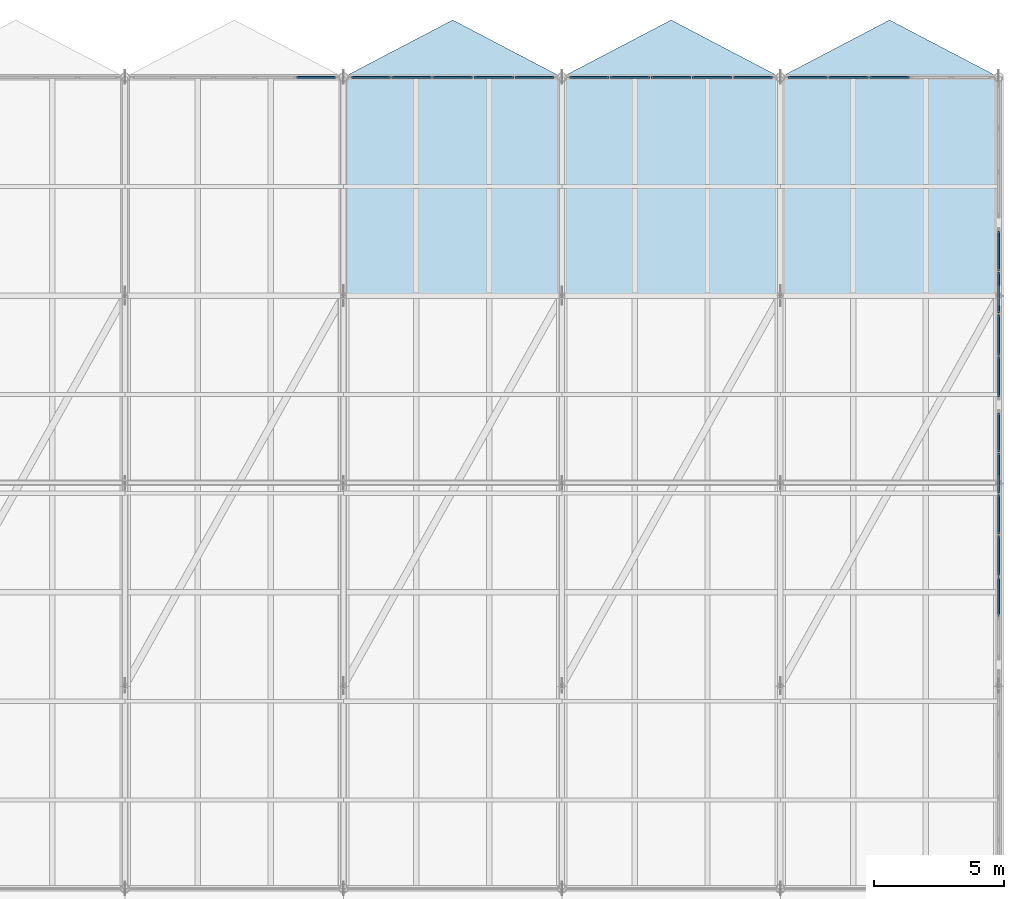
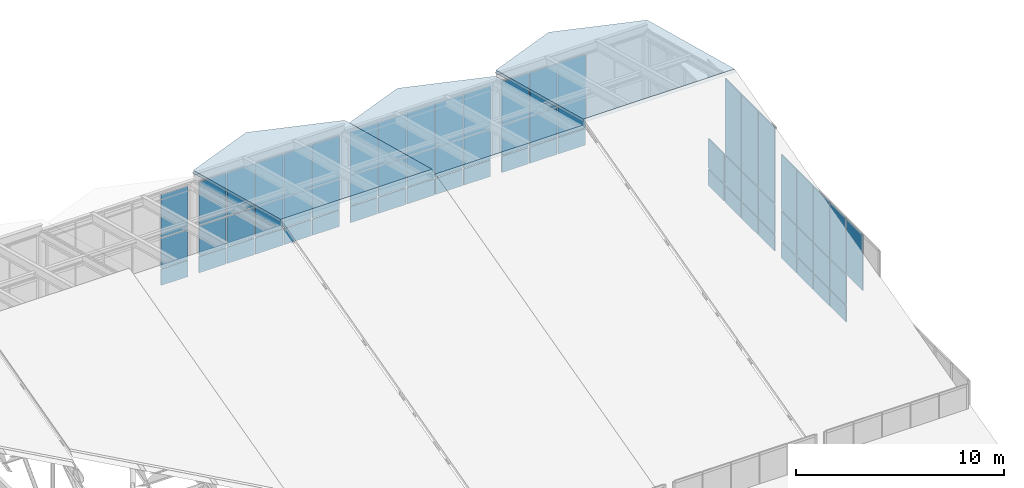
# One storey, part 39 of 43: 66 plates, 3 slabs, 6 elements without a shape of their own.
"""IFC4 building model written with IfcOpenShell, lengths in metres."""

from ifc_helpers import new_model, si_unit, direction, frame, origin, origin_2d, place, context, subcontext, project, spatial, polyline, rectangle, outline, extrude, material, layer, layer_set, type_object, element, aggregate, save


model = new_model("IFC4")

# Units and contexts
model_context = context("Model", 3, precision=1e-05, world=origin(), true_north=direction((0.0, 1.0)))
body_context = subcontext(model_context, "Body", "Model", "MODEL_VIEW")
ifc_project = project(units=[si_unit("LENGTHUNIT", "METRE"), si_unit("AREAUNIT", "SQUARE_METRE"), si_unit("VOLUMEUNIT", "CUBIC_METRE"), si_unit("PLANEANGLEUNIT", "RADIAN"), si_unit("MASSUNIT", "GRAM", prefix="KILO")], contexts=[model_context])

# Site, building, storey
site_placement = place(None, origin())
site = spatial("IfcSite", under=ifc_project, at=site_placement, CompositionType="ELEMENT")
building_placement = place(site_placement, origin())
building = spatial("IfcBuilding", under=site, at=building_placement, Name="Selat Folded Stagehouse", CompositionType="ELEMENT")
storey_placement = place(building_placement, frame((0.0, 0.0, 32.39990234375)))
storey = spatial("IfcBuildingStorey", under=building, at=storey_placement, Name="RF", CompositionType="ELEMENT", Elevation=32.39990234375)

# Curtain wall, plates
ifc_material_1 = material(Name="Aluminium 6063-T6", Category="aluminium")
ifc_layer_1 = layer(ifc_material_1, 0.169921875)
ifc_layer_set_1 = layer_set([ifc_layer_1], Name="Aluminium 6063-T6")
curtain_wall_type = type_object("IfcCurtainWallType", Name="CW-CRN-CLER", PredefinedType="NOTDEFINED", material=ifc_layer_set_1)
curtain_wall_1_placement = place(storey_placement, origin())
curtain_wall_1 = element("IfcCurtainWall", 1, at=curtain_wall_1_placement, inside=storey, type_object=curtain_wall_type, Name="RF curtain wall CW-RF-N-03", PredefinedType="NOTDEFINED")
ifc_material_2 = material(Name="Acoustic weather-louvre and frit crown panel", Category="aluminium")
ifc_layer_2 = layer(ifc_material_2, 0.06201171875)
ifc_layer_set_2 = layer_set([ifc_layer_2], Name="Acoustic weather-louvre and frit crown panel")
plate_type = type_object("IfcPlateType", Name="CWP-LVR-ALU62", PredefinedType="CURTAIN_PANEL", material=ifc_layer_set_2)
plate_1_placement = place(storey_placement, frame((40.945068359375, 54.60009765625, 0.06494140625), z_axis=(0.0, 0.0, 1.0), x_axis=(1.0, 0.0, 0.0)))
plate_1 = element("IfcPlate", 2, at=plate_1_placement, type_object=plate_type, Name="CW-09 panel 5.1", PredefinedType="CURTAIN_PANEL", context=body_context, shape_type="SweptSolid", body=[
    extrude(rectangle(XDim=1.489990234375, YDim=0.06201171875, at=origin_2d()), origin(), (0.0, 0.0, 1.0), 0.952392578125),
])
plate_2_placement = place(storey_placement, frame((40.945068359375, 54.60009765625, 1.08251953125), z_axis=(0.0, 0.0, 1.0), x_axis=(1.0, 0.0, 0.0)))
plate_2 = element("IfcPlate", 3, at=plate_2_placement, type_object=plate_type, Name="CW-09 panel 5.2", PredefinedType="CURTAIN_PANEL", context=body_context, shape_type="SweptSolid", body=[
    extrude(rectangle(XDim=1.489990234375, YDim=0.06201171875, at=origin_2d()), origin(), (0.0, 0.0, 1.0), 1.735107421875),
])
plate_3_placement = place(storey_placement, frame((40.945068359375, 54.60009765625, 2.882568359375), z_axis=(0.0, 0.0, 1.0), x_axis=(1.0, 0.0, 0.0)))
plate_3 = element("IfcPlate", 4, at=plate_3_placement, type_object=plate_type, Name="CW-09 panel 5.3", PredefinedType="CURTAIN_PANEL", context=body_context, shape_type="SweptSolid", body=[
    extrude(rectangle(XDim=1.489990234375, YDim=0.06201171875, at=origin_2d()), origin(), (0.0, 0.0, 1.0), 2.50244140625),
])
aggregate(curtain_wall_1, [plate_1, plate_2, plate_3])

curtain_wall_2_placement = place(storey_placement, origin())
curtain_wall_2 = element("IfcCurtainWall", 5, at=curtain_wall_2_placement, inside=storey, type_object=curtain_wall_type, Name="RF curtain wall CW-RF-N-04", PredefinedType="NOTDEFINED")
plate_4_placement = place(storey_placement, frame((43.054931640625, 54.60009765625, 0.06494140625), z_axis=(0.0, 0.0, 1.0), x_axis=(1.0, 0.0, 0.0)))
plate_4 = element("IfcPlate", 6, at=plate_4_placement, type_object=plate_type, Name="CW-09 panel 1.1", PredefinedType="CURTAIN_PANEL", context=body_context, shape_type="SweptSolid", body=[
    extrude(rectangle(XDim=1.489990234375, YDim=0.06201171875, at=origin_2d()), origin(), (0.0, 0.0, 1.0), 0.952392578125),
])
plate_5_placement = place(storey_placement, frame((43.054931640625, 54.60009765625, 1.08251953125), z_axis=(0.0, 0.0, 1.0), x_axis=(1.0, 0.0, 0.0)))
plate_5 = element("IfcPlate", 7, at=plate_5_placement, type_object=plate_type, Name="CW-09 panel 1.2", PredefinedType="CURTAIN_PANEL", context=body_context, shape_type="SweptSolid", body=[
    extrude(rectangle(XDim=1.489990234375, YDim=0.06201171875, at=origin_2d()), origin(), (0.0, 0.0, 1.0), 1.735107421875),
])
plate_6_placement = place(storey_placement, frame((43.054931640625, 54.60009765625, 2.882568359375), z_axis=(0.0, 0.0, 1.0), x_axis=(1.0, 0.0, 0.0)))
plate_6 = element("IfcPlate", 8, at=plate_6_placement, type_object=plate_type, Name="CW-09 panel 1.3", PredefinedType="CURTAIN_PANEL", context=body_context, shape_type="SweptSolid", body=[
    extrude(rectangle(XDim=1.489990234375, YDim=0.06201171875, at=origin_2d()), origin(), (0.0, 0.0, 1.0), 2.50244140625),
])
plate_7_placement = place(storey_placement, frame((44.6201171875, 54.60009765625, 0.06494140625), z_axis=(0.0, 0.0, 1.0), x_axis=(1.0, 0.0, 0.0)))
plate_7 = element("IfcPlate", 9, at=plate_7_placement, type_object=plate_type, Name="CW-09 panel 2.1", PredefinedType="CURTAIN_PANEL", context=body_context, shape_type="SweptSolid", body=[
    extrude(rectangle(XDim=1.52001953125, YDim=0.06201171875, at=origin_2d()), origin(), (0.0, 0.0, 1.0), 0.952392578125),
])
plate_8_placement = place(storey_placement, frame((44.6201171875, 54.60009765625, 1.08251953125), z_axis=(0.0, 0.0, 1.0), x_axis=(1.0, 0.0, 0.0)))
plate_8 = element("IfcPlate", 10, at=plate_8_placement, type_object=plate_type, Name="CW-09 panel 2.2", PredefinedType="CURTAIN_PANEL", context=body_context, shape_type="SweptSolid", body=[
    extrude(rectangle(XDim=1.52001953125, YDim=0.06201171875, at=origin_2d()), origin(), (0.0, 0.0, 1.0), 1.735107421875),
])
plate_9_placement = place(storey_placement, frame((44.6201171875, 54.60009765625, 2.882568359375), z_axis=(0.0, 0.0, 1.0), x_axis=(1.0, 0.0, 0.0)))
plate_9 = element("IfcPlate", 11, at=plate_9_placement, type_object=plate_type, Name="CW-09 panel 2.3", PredefinedType="CURTAIN_PANEL", context=body_context, shape_type="SweptSolid", body=[
    extrude(rectangle(XDim=1.52001953125, YDim=0.06201171875, at=origin_2d()), origin(), (0.0, 0.0, 1.0), 2.50244140625),
])
plate_10_placement = place(storey_placement, frame((46.199951171875, 54.60009765625, 0.06494140625), z_axis=(0.0, 0.0, 1.0), x_axis=(1.0, 0.0, 0.0)))
plate_10 = element("IfcPlate", 12, at=plate_10_placement, type_object=plate_type, Name="CW-09 panel 3.1", PredefinedType="CURTAIN_PANEL", context=body_context, shape_type="SweptSolid", body=[
    extrude(rectangle(XDim=1.52001953125, YDim=0.06201171875, at=origin_2d()), origin(), (0.0, 0.0, 1.0), 0.952392578125),
])
plate_11_placement = place(storey_placement, frame((46.199951171875, 54.60009765625, 1.08251953125), z_axis=(0.0, 0.0, 1.0), x_axis=(1.0, 0.0, 0.0)))
plate_11 = element("IfcPlate", 13, at=plate_11_placement, type_object=plate_type, Name="CW-09 panel 3.2", PredefinedType="CURTAIN_PANEL", context=body_context, shape_type="SweptSolid", body=[
    extrude(rectangle(XDim=1.52001953125, YDim=0.06201171875, at=origin_2d()), origin(), (0.0, 0.0, 1.0), 1.735107421875),
])
plate_12_placement = place(storey_placement, frame((46.199951171875, 54.60009765625, 2.882568359375), z_axis=(0.0, 0.0, 1.0), x_axis=(1.0, 0.0, 0.0)))
plate_12 = element("IfcPlate", 14, at=plate_12_placement, type_object=plate_type, Name="CW-09 panel 3.3", PredefinedType="CURTAIN_PANEL", context=body_context, shape_type="SweptSolid", body=[
    extrude(rectangle(XDim=1.52001953125, YDim=0.06201171875, at=origin_2d()), origin(), (0.0, 0.0, 1.0), 2.50244140625),
])
plate_13_placement = place(storey_placement, frame((47.780029296875, 54.60009765625, 0.06494140625), z_axis=(0.0, 0.0, 1.0), x_axis=(1.0, 0.0, 0.0)))
plate_13 = element("IfcPlate", 15, at=plate_13_placement, type_object=plate_type, Name="CW-09 panel 4.1", PredefinedType="CURTAIN_PANEL", context=body_context, shape_type="SweptSolid", body=[
    extrude(rectangle(XDim=1.52001953125, YDim=0.06201171875, at=origin_2d()), origin(), (0.0, 0.0, 1.0), 0.952392578125),
])
plate_14_placement = place(storey_placement, frame((47.780029296875, 54.60009765625, 1.08251953125), z_axis=(0.0, 0.0, 1.0), x_axis=(1.0, 0.0, 0.0)))
plate_14 = element("IfcPlate", 16, at=plate_14_placement, type_object=plate_type, Name="CW-09 panel 4.2", PredefinedType="CURTAIN_PANEL", context=body_context, shape_type="SweptSolid", body=[
    extrude(rectangle(XDim=1.52001953125, YDim=0.06201171875, at=origin_2d()), origin(), (0.0, 0.0, 1.0), 1.735107421875),
])
plate_15_placement = place(storey_placement, frame((47.780029296875, 54.60009765625, 2.882568359375), z_axis=(0.0, 0.0, 1.0), x_axis=(1.0, 0.0, 0.0)))
plate_15 = element("IfcPlate", 17, at=plate_15_placement, type_object=plate_type, Name="CW-09 panel 4.3", PredefinedType="CURTAIN_PANEL", context=body_context, shape_type="SweptSolid", body=[
    extrude(rectangle(XDim=1.52001953125, YDim=0.06201171875, at=origin_2d()), origin(), (0.0, 0.0, 1.0), 2.50244140625),
])
plate_16_placement = place(storey_placement, frame((49.344970703125, 54.60009765625, 0.06494140625), z_axis=(0.0, 0.0, 1.0), x_axis=(1.0, 0.0, 0.0)))
plate_16 = element("IfcPlate", 18, at=plate_16_placement, type_object=plate_type, Name="CW-09 panel 5.1", PredefinedType="CURTAIN_PANEL", context=body_context, shape_type="SweptSolid", body=[
    extrude(rectangle(XDim=1.489990234375, YDim=0.06201171875, at=origin_2d()), origin(), (0.0, 0.0, 1.0), 0.952392578125),
])
plate_17_placement = place(storey_placement, frame((49.344970703125, 54.60009765625, 1.08251953125), z_axis=(0.0, 0.0, 1.0), x_axis=(1.0, 0.0, 0.0)))
plate_17 = element("IfcPlate", 19, at=plate_17_placement, type_object=plate_type, Name="CW-09 panel 5.2", PredefinedType="CURTAIN_PANEL", context=body_context, shape_type="SweptSolid", body=[
    extrude(rectangle(XDim=1.489990234375, YDim=0.06201171875, at=origin_2d()), origin(), (0.0, 0.0, 1.0), 1.735107421875),
])
plate_18_placement = place(storey_placement, frame((49.344970703125, 54.60009765625, 2.882568359375), z_axis=(0.0, 0.0, 1.0), x_axis=(1.0, 0.0, 0.0)))
plate_18 = element("IfcPlate", 20, at=plate_18_placement, type_object=plate_type, Name="CW-09 panel 5.3", PredefinedType="CURTAIN_PANEL", context=body_context, shape_type="SweptSolid", body=[
    extrude(rectangle(XDim=1.489990234375, YDim=0.06201171875, at=origin_2d()), origin(), (0.0, 0.0, 1.0), 2.50244140625),
])
aggregate(curtain_wall_2, [plate_4, plate_5, plate_6, plate_7, plate_8, plate_9, plate_10, plate_11, plate_12, plate_13, plate_14, plate_15, plate_16, plate_17, plate_18])

curtain_wall_3_placement = place(storey_placement, origin())
curtain_wall_3 = element("IfcCurtainWall", 21, at=curtain_wall_3_placement, inside=storey, type_object=curtain_wall_type, Name="RF curtain wall CW-RF-N-05", PredefinedType="NOTDEFINED")
plate_19_placement = place(storey_placement, frame((51.455078125, 54.60009765625, 0.06494140625), z_axis=(0.0, 0.0, 1.0), x_axis=(1.0, 0.0, 0.0)))
plate_19 = element("IfcPlate", 22, at=plate_19_placement, type_object=plate_type, Name="CW-09 panel 1.1", PredefinedType="CURTAIN_PANEL", context=body_context, shape_type="SweptSolid", body=[
    extrude(rectangle(XDim=1.489990234375, YDim=0.06201171875, at=origin_2d()), origin(), (0.0, 0.0, 1.0), 0.952392578125),
])
plate_20_placement = place(storey_placement, frame((51.455078125, 54.60009765625, 1.08251953125), z_axis=(0.0, 0.0, 1.0), x_axis=(1.0, 0.0, 0.0)))
plate_20 = element("IfcPlate", 23, at=plate_20_placement, type_object=plate_type, Name="CW-09 panel 1.2", PredefinedType="CURTAIN_PANEL", context=body_context, shape_type="SweptSolid", body=[
    extrude(rectangle(XDim=1.489990234375, YDim=0.06201171875, at=origin_2d()), origin(), (0.0, 0.0, 1.0), 1.735107421875),
])
plate_21_placement = place(storey_placement, frame((51.455078125, 54.60009765625, 2.882568359375), z_axis=(0.0, 0.0, 1.0), x_axis=(1.0, 0.0, 0.0)))
plate_21 = element("IfcPlate", 24, at=plate_21_placement, type_object=plate_type, Name="CW-09 panel 1.3", PredefinedType="CURTAIN_PANEL", context=body_context, shape_type="SweptSolid", body=[
    extrude(rectangle(XDim=1.489990234375, YDim=0.06201171875, at=origin_2d()), origin(), (0.0, 0.0, 1.0), 2.50244140625),
])
plate_22_placement = place(storey_placement, frame((53.02001953125, 54.60009765625, 0.06494140625), z_axis=(0.0, 0.0, 1.0), x_axis=(1.0, 0.0, 0.0)))
plate_22 = element("IfcPlate", 25, at=plate_22_placement, type_object=plate_type, Name="CW-09 panel 2.1", PredefinedType="CURTAIN_PANEL", context=body_context, shape_type="SweptSolid", body=[
    extrude(rectangle(XDim=1.52001953125, YDim=0.06201171875, at=origin_2d()), origin(), (0.0, 0.0, 1.0), 0.952392578125),
])
plate_23_placement = place(storey_placement, frame((53.02001953125, 54.60009765625, 1.08251953125), z_axis=(0.0, 0.0, 1.0), x_axis=(1.0, 0.0, 0.0)))
plate_23 = element("IfcPlate", 26, at=plate_23_placement, type_object=plate_type, Name="CW-09 panel 2.2", PredefinedType="CURTAIN_PANEL", context=body_context, shape_type="SweptSolid", body=[
    extrude(rectangle(XDim=1.52001953125, YDim=0.06201171875, at=origin_2d()), origin(), (0.0, 0.0, 1.0), 1.735107421875),
])
plate_24_placement = place(storey_placement, frame((53.02001953125, 54.60009765625, 2.882568359375), z_axis=(0.0, 0.0, 1.0), x_axis=(1.0, 0.0, 0.0)))
plate_24 = element("IfcPlate", 27, at=plate_24_placement, type_object=plate_type, Name="CW-09 panel 2.3", PredefinedType="CURTAIN_PANEL", context=body_context, shape_type="SweptSolid", body=[
    extrude(rectangle(XDim=1.52001953125, YDim=0.06201171875, at=origin_2d()), origin(), (0.0, 0.0, 1.0), 2.50244140625),
])
plate_25_placement = place(storey_placement, frame((54.60009765625, 54.60009765625, 0.06494140625), z_axis=(0.0, 0.0, 1.0), x_axis=(1.0, 0.0, 0.0)))
plate_25 = element("IfcPlate", 28, at=plate_25_placement, type_object=plate_type, Name="CW-09 panel 3.1", PredefinedType="CURTAIN_PANEL", context=body_context, shape_type="SweptSolid", body=[
    extrude(rectangle(XDim=1.52001953125, YDim=0.06201171875, at=origin_2d()), origin(), (0.0, 0.0, 1.0), 0.952392578125),
])
plate_26_placement = place(storey_placement, frame((54.60009765625, 54.60009765625, 1.08251953125), z_axis=(0.0, 0.0, 1.0), x_axis=(1.0, 0.0, 0.0)))
plate_26 = element("IfcPlate", 29, at=plate_26_placement, type_object=plate_type, Name="CW-09 panel 3.2", PredefinedType="CURTAIN_PANEL", context=body_context, shape_type="SweptSolid", body=[
    extrude(rectangle(XDim=1.52001953125, YDim=0.06201171875, at=origin_2d()), origin(), (0.0, 0.0, 1.0), 1.735107421875),
])
plate_27_placement = place(storey_placement, frame((54.60009765625, 54.60009765625, 2.882568359375), z_axis=(0.0, 0.0, 1.0), x_axis=(1.0, 0.0, 0.0)))
plate_27 = element("IfcPlate", 30, at=plate_27_placement, type_object=plate_type, Name="CW-09 panel 3.3", PredefinedType="CURTAIN_PANEL", context=body_context, shape_type="SweptSolid", body=[
    extrude(rectangle(XDim=1.52001953125, YDim=0.06201171875, at=origin_2d()), origin(), (0.0, 0.0, 1.0), 2.50244140625),
])
plate_28_placement = place(storey_placement, frame((56.179931640625, 54.60009765625, 0.06494140625), z_axis=(0.0, 0.0, 1.0), x_axis=(1.0, 0.0, 0.0)))
plate_28 = element("IfcPlate", 31, at=plate_28_placement, type_object=plate_type, Name="CW-09 panel 4.1", PredefinedType="CURTAIN_PANEL", context=body_context, shape_type="SweptSolid", body=[
    extrude(rectangle(XDim=1.52001953125, YDim=0.06201171875, at=origin_2d()), origin(), (0.0, 0.0, 1.0), 0.952392578125),
])
plate_29_placement = place(storey_placement, frame((56.179931640625, 54.60009765625, 1.08251953125), z_axis=(0.0, 0.0, 1.0), x_axis=(1.0, 0.0, 0.0)))
plate_29 = element("IfcPlate", 32, at=plate_29_placement, type_object=plate_type, Name="CW-09 panel 4.2", PredefinedType="CURTAIN_PANEL", context=body_context, shape_type="SweptSolid", body=[
    extrude(rectangle(XDim=1.52001953125, YDim=0.06201171875, at=origin_2d()), origin(), (0.0, 0.0, 1.0), 1.735107421875),
])
plate_30_placement = place(storey_placement, frame((56.179931640625, 54.60009765625, 2.882568359375), z_axis=(0.0, 0.0, 1.0), x_axis=(1.0, 0.0, 0.0)))
plate_30 = element("IfcPlate", 33, at=plate_30_placement, type_object=plate_type, Name="CW-09 panel 4.3", PredefinedType="CURTAIN_PANEL", context=body_context, shape_type="SweptSolid", body=[
    extrude(rectangle(XDim=1.52001953125, YDim=0.06201171875, at=origin_2d()), origin(), (0.0, 0.0, 1.0), 2.50244140625),
])
plate_31_placement = place(storey_placement, frame((57.7451171875, 54.60009765625, 0.06494140625), z_axis=(0.0, 0.0, 1.0), x_axis=(1.0, 0.0, 0.0)))
plate_31 = element("IfcPlate", 34, at=plate_31_placement, type_object=plate_type, Name="CW-09 panel 5.1", PredefinedType="CURTAIN_PANEL", context=body_context, shape_type="SweptSolid", body=[
    extrude(rectangle(XDim=1.489990234375, YDim=0.06201171875, at=origin_2d()), origin(), (0.0, 0.0, 1.0), 0.952392578125),
])
plate_32_placement = place(storey_placement, frame((57.7451171875, 54.60009765625, 1.08251953125), z_axis=(0.0, 0.0, 1.0), x_axis=(1.0, 0.0, 0.0)))
plate_32 = element("IfcPlate", 35, at=plate_32_placement, type_object=plate_type, Name="CW-09 panel 5.2", PredefinedType="CURTAIN_PANEL", context=body_context, shape_type="SweptSolid", body=[
    extrude(rectangle(XDim=1.489990234375, YDim=0.06201171875, at=origin_2d()), origin(), (0.0, 0.0, 1.0), 1.735107421875),
])
plate_33_placement = place(storey_placement, frame((57.7451171875, 54.60009765625, 2.882568359375), z_axis=(0.0, 0.0, 1.0), x_axis=(1.0, 0.0, 0.0)))
plate_33 = element("IfcPlate", 36, at=plate_33_placement, type_object=plate_type, Name="CW-09 panel 5.3", PredefinedType="CURTAIN_PANEL", context=body_context, shape_type="SweptSolid", body=[
    extrude(rectangle(XDim=1.489990234375, YDim=0.06201171875, at=origin_2d()), origin(), (0.0, 0.0, 1.0), 2.50244140625),
])
aggregate(curtain_wall_3, [plate_19, plate_20, plate_21, plate_22, plate_23, plate_24, plate_25, plate_26, plate_27, plate_28, plate_29, plate_30, plate_31, plate_32, plate_33])

curtain_wall_4_placement = place(storey_placement, origin())
curtain_wall_4 = element("IfcCurtainWall", 37, at=curtain_wall_4_placement, inside=storey, type_object=curtain_wall_type, Name="RF curtain wall CW-RF-N-06", PredefinedType="NOTDEFINED")
plate_34_placement = place(storey_placement, frame((59.85498046875, 54.60009765625, 0.06494140625), z_axis=(0.0, 0.0, 1.0), x_axis=(1.0, 0.0, 0.0)))
plate_34 = element("IfcPlate", 38, at=plate_34_placement, type_object=plate_type, Name="CW-09 panel 1.1", PredefinedType="CURTAIN_PANEL", context=body_context, shape_type="SweptSolid", body=[
    extrude(rectangle(XDim=1.489990234375, YDim=0.06201171875, at=origin_2d()), origin(), (0.0, 0.0, 1.0), 0.952392578125),
])
plate_35_placement = place(storey_placement, frame((59.85498046875, 54.60009765625, 1.08251953125), z_axis=(0.0, 0.0, 1.0), x_axis=(1.0, 0.0, 0.0)))
plate_35 = element("IfcPlate", 39, at=plate_35_placement, type_object=plate_type, Name="CW-09 panel 1.2", PredefinedType="CURTAIN_PANEL", context=body_context, shape_type="SweptSolid", body=[
    extrude(rectangle(XDim=1.489990234375, YDim=0.06201171875, at=origin_2d()), origin(), (0.0, 0.0, 1.0), 1.735107421875),
])
plate_36_placement = place(storey_placement, frame((59.85498046875, 54.60009765625, 2.882568359375), z_axis=(0.0, 0.0, 1.0), x_axis=(1.0, 0.0, 0.0)))
plate_36 = element("IfcPlate", 40, at=plate_36_placement, type_object=plate_type, Name="CW-09 panel 1.3", PredefinedType="CURTAIN_PANEL", context=body_context, shape_type="SweptSolid", body=[
    extrude(rectangle(XDim=1.489990234375, YDim=0.06201171875, at=origin_2d()), origin(), (0.0, 0.0, 1.0), 2.50244140625),
])
plate_37_placement = place(storey_placement, frame((61.419921875, 54.60009765625, 0.06494140625), z_axis=(0.0, 0.0, 1.0), x_axis=(1.0, 0.0, 0.0)))
plate_37 = element("IfcPlate", 41, at=plate_37_placement, type_object=plate_type, Name="CW-09 panel 2.1", PredefinedType="CURTAIN_PANEL", context=body_context, shape_type="SweptSolid", body=[
    extrude(rectangle(XDim=1.52001953125, YDim=0.06201171875, at=origin_2d()), origin(), (0.0, 0.0, 1.0), 0.952392578125),
])
plate_38_placement = place(storey_placement, frame((61.419921875, 54.60009765625, 1.08251953125), z_axis=(0.0, 0.0, 1.0), x_axis=(1.0, 0.0, 0.0)))
plate_38 = element("IfcPlate", 42, at=plate_38_placement, type_object=plate_type, Name="CW-09 panel 2.2", PredefinedType="CURTAIN_PANEL", context=body_context, shape_type="SweptSolid", body=[
    extrude(rectangle(XDim=1.52001953125, YDim=0.06201171875, at=origin_2d()), origin(), (0.0, 0.0, 1.0), 1.735107421875),
])
plate_39_placement = place(storey_placement, frame((61.419921875, 54.60009765625, 2.882568359375), z_axis=(0.0, 0.0, 1.0), x_axis=(1.0, 0.0, 0.0)))
plate_39 = element("IfcPlate", 43, at=plate_39_placement, type_object=plate_type, Name="CW-09 panel 2.3", PredefinedType="CURTAIN_PANEL", context=body_context, shape_type="SweptSolid", body=[
    extrude(rectangle(XDim=1.52001953125, YDim=0.06201171875, at=origin_2d()), origin(), (0.0, 0.0, 1.0), 2.50244140625),
])
plate_40_placement = place(storey_placement, frame((63.0, 54.60009765625, 0.06494140625), z_axis=(0.0, 0.0, 1.0), x_axis=(1.0, 0.0, 0.0)))
plate_40 = element("IfcPlate", 44, at=plate_40_placement, type_object=plate_type, Name="CW-09 panel 3.1", PredefinedType="CURTAIN_PANEL", context=body_context, shape_type="SweptSolid", body=[
    extrude(rectangle(XDim=1.52001953125, YDim=0.06201171875, at=origin_2d()), origin(), (0.0, 0.0, 1.0), 0.952392578125),
])
plate_41_placement = place(storey_placement, frame((63.0, 54.60009765625, 1.08251953125), z_axis=(0.0, 0.0, 1.0), x_axis=(1.0, 0.0, 0.0)))
plate_41 = element("IfcPlate", 45, at=plate_41_placement, type_object=plate_type, Name="CW-09 panel 3.2", PredefinedType="CURTAIN_PANEL", context=body_context, shape_type="SweptSolid", body=[
    extrude(rectangle(XDim=1.52001953125, YDim=0.06201171875, at=origin_2d()), origin(), (0.0, 0.0, 1.0), 1.735107421875),
])
plate_42_placement = place(storey_placement, frame((63.0, 54.60009765625, 2.882568359375), z_axis=(0.0, 0.0, 1.0), x_axis=(1.0, 0.0, 0.0)))
plate_42 = element("IfcPlate", 46, at=plate_42_placement, type_object=plate_type, Name="CW-09 panel 3.3", PredefinedType="CURTAIN_PANEL", context=body_context, shape_type="SweptSolid", body=[
    extrude(rectangle(XDim=1.52001953125, YDim=0.06201171875, at=origin_2d()), origin(), (0.0, 0.0, 1.0), 2.50244140625),
])
aggregate(curtain_wall_4, [plate_34, plate_35, plate_36, plate_37, plate_38, plate_39, plate_40, plate_41, plate_42])

curtain_wall_5_placement = place(storey_placement, origin())
curtain_wall_5 = element("IfcCurtainWall", 47, at=curtain_wall_5_placement, inside=storey, type_object=curtain_wall_type, Name="RF curtain wall CW-RF-E-01", PredefinedType="NOTDEFINED")
plate_43_placement = place(storey_placement, frame((67.199951171875, 47.921142578125, 0.06494140625), z_axis=(0.0, 0.0, 1.0), x_axis=(0.0, -1.0, 0.0)))
plate_43 = element("IfcPlate", 48, at=plate_43_placement, type_object=plate_type, Name="CW-09 panel 1.1", PredefinedType="CURTAIN_PANEL", context=body_context, shape_type="SweptSolid", body=[
    extrude(rectangle(XDim=1.527587890625, YDim=0.06201171875, at=origin_2d()), origin(), (0.0, 0.0, 1.0), 0.952392578125),
])
plate_44_placement = place(storey_placement, frame((67.199951171875, 47.921142578125, 1.08251953125), z_axis=(0.0, 0.0, 1.0), x_axis=(0.0, -1.0, 0.0)))
plate_44 = element("IfcPlate", 49, at=plate_44_placement, type_object=plate_type, Name="CW-09 panel 1.2", PredefinedType="CURTAIN_PANEL", context=body_context, shape_type="SweptSolid", body=[
    extrude(rectangle(XDim=1.527587890625, YDim=0.06201171875, at=origin_2d()), origin(), (0.0, 0.0, 1.0), 1.735107421875),
])
plate_45_placement = place(storey_placement, frame((67.199951171875, 46.3125, 0.06494140625), z_axis=(0.0, 0.0, 1.0), x_axis=(0.0, -1.0, 0.0)))
plate_45 = element("IfcPlate", 50, at=plate_45_placement, type_object=plate_type, Name="CW-09 panel 2.1", PredefinedType="CURTAIN_PANEL", context=body_context, shape_type="SweptSolid", body=[
    extrude(rectangle(XDim=1.56005859375, YDim=0.06201171875, at=origin_2d()), origin(), (0.0, 0.0, 1.0), 0.952392578125),
])
plate_46_placement = place(storey_placement, frame((67.199951171875, 46.3125, 1.08251953125), z_axis=(0.0, 0.0, 1.0), x_axis=(0.0, -1.0, 0.0)))
plate_46 = element("IfcPlate", 51, at=plate_46_placement, type_object=plate_type, Name="CW-09 panel 2.2", PredefinedType="CURTAIN_PANEL", context=body_context, shape_type="SweptSolid", body=[
    extrude(rectangle(XDim=1.56005859375, YDim=0.06201171875, at=origin_2d()), origin(), (0.0, 0.0, 1.0), 1.735107421875),
])
plate_47_placement = place(storey_placement, frame((67.199951171875, 46.3125, 2.8828125), z_axis=(0.0, 0.0, 1.0), x_axis=(0.0, -1.0, 0.0)))
plate_47 = element("IfcPlate", 52, at=plate_47_placement, type_object=plate_type, Name="CW-09 panel 2.3", PredefinedType="CURTAIN_PANEL", context=body_context, shape_type="SweptSolid", body=[
    extrude(rectangle(XDim=1.56005859375, YDim=0.06201171875, at=origin_2d()), origin(), (0.0, 0.0, 1.0), 4.452392578125),
])
plate_48_placement = place(storey_placement, frame((67.199951171875, 44.6875, 0.06494140625), z_axis=(0.0, 0.0, 1.0), x_axis=(0.0, -1.0, 0.0)))
plate_48 = element("IfcPlate", 53, at=plate_48_placement, type_object=plate_type, Name="CW-09 panel 3.1", PredefinedType="CURTAIN_PANEL", context=body_context, shape_type="SweptSolid", body=[
    extrude(rectangle(XDim=1.56005859375, YDim=0.06201171875, at=origin_2d()), origin(), (0.0, 0.0, 1.0), 0.952392578125),
])
plate_49_placement = place(storey_placement, frame((67.199951171875, 44.6875, 1.08251953125), z_axis=(0.0, 0.0, 1.0), x_axis=(0.0, -1.0, 0.0)))
plate_49 = element("IfcPlate", 54, at=plate_49_placement, type_object=plate_type, Name="CW-09 panel 3.2", PredefinedType="CURTAIN_PANEL", context=body_context, shape_type="SweptSolid", body=[
    extrude(rectangle(XDim=1.56005859375, YDim=0.06201171875, at=origin_2d()), origin(), (0.0, 0.0, 1.0), 1.735107421875),
])
plate_50_placement = place(storey_placement, frame((67.199951171875, 44.6875, 2.8828125), z_axis=(0.0, 0.0, 1.0), x_axis=(0.0, -1.0, 0.0)))
plate_50 = element("IfcPlate", 55, at=plate_50_placement, type_object=plate_type, Name="CW-09 panel 3.3", PredefinedType="CURTAIN_PANEL", context=body_context, shape_type="SweptSolid", body=[
    extrude(rectangle(XDim=1.56005859375, YDim=0.06201171875, at=origin_2d()), origin(), (0.0, 0.0, 1.0), 4.452392578125),
])
plate_51_placement = place(storey_placement, frame((67.199951171875, 43.078857421875, 0.06494140625), z_axis=(0.0, 0.0, 1.0), x_axis=(0.0, -1.0, 0.0)))
plate_51 = element("IfcPlate", 56, at=plate_51_placement, type_object=plate_type, Name="CW-09 panel 4.1", PredefinedType="CURTAIN_PANEL", context=body_context, shape_type="SweptSolid", body=[
    extrude(rectangle(XDim=1.527587890625, YDim=0.06201171875, at=origin_2d()), origin(), (0.0, 0.0, 1.0), 0.952392578125),
])
plate_52_placement = place(storey_placement, frame((67.199951171875, 43.078857421875, 1.08251953125), z_axis=(0.0, 0.0, 1.0), x_axis=(0.0, -1.0, 0.0)))
plate_52 = element("IfcPlate", 57, at=plate_52_placement, type_object=plate_type, Name="CW-09 panel 4.2", PredefinedType="CURTAIN_PANEL", context=body_context, shape_type="SweptSolid", body=[
    extrude(rectangle(XDim=1.527587890625, YDim=0.06201171875, at=origin_2d()), origin(), (0.0, 0.0, 1.0), 1.735107421875),
])
plate_53_placement = place(storey_placement, frame((67.199951171875, 43.078857421875, 2.8828125), z_axis=(0.0, 0.0, 1.0), x_axis=(0.0, -1.0, 0.0)))
plate_53 = element("IfcPlate", 58, at=plate_53_placement, type_object=plate_type, Name="CW-09 panel 4.3", PredefinedType="CURTAIN_PANEL", context=body_context, shape_type="SweptSolid", body=[
    extrude(rectangle(XDim=1.527587890625, YDim=0.06201171875, at=origin_2d()), origin(), (0.0, 0.0, 1.0), 4.452392578125),
])
aggregate(curtain_wall_5, [plate_43, plate_44, plate_45, plate_46, plate_47, plate_48, plate_49, plate_50, plate_51, plate_52, plate_53])

curtain_wall_6_placement = place(storey_placement, origin())
curtain_wall_6 = element("IfcCurtainWall", 59, at=curtain_wall_6_placement, inside=storey, type_object=curtain_wall_type, Name="RF curtain wall CW-RF-E-02", PredefinedType="NOTDEFINED")
plate_54_placement = place(storey_placement, frame((67.199951171875, 40.942138671875, 0.06494140625), z_axis=(0.0, 0.0, 1.0), x_axis=(0.0, -1.0, 0.0)))
plate_54 = element("IfcPlate", 60, at=plate_54_placement, type_object=plate_type, Name="CW-09 panel 1.1", PredefinedType="CURTAIN_PANEL", context=body_context, shape_type="SweptSolid", body=[
    extrude(rectangle(XDim=1.48583984375, YDim=0.06201171875, at=origin_2d()), origin(), (0.0, 0.0, 1.0), 0.952392578125),
])
plate_55_placement = place(storey_placement, frame((67.199951171875, 40.942138671875, 1.08251953125), z_axis=(0.0, 0.0, 1.0), x_axis=(0.0, -1.0, 0.0)))
plate_55 = element("IfcPlate", 61, at=plate_55_placement, type_object=plate_type, Name="CW-09 panel 1.2", PredefinedType="CURTAIN_PANEL", context=body_context, shape_type="SweptSolid", body=[
    extrude(rectangle(XDim=1.48583984375, YDim=0.06201171875, at=origin_2d()), origin(), (0.0, 0.0, 1.0), 1.735107421875),
])
plate_56_placement = place(storey_placement, frame((67.199951171875, 40.942138671875, 2.882568359375), z_axis=(0.0, 0.0, 1.0), x_axis=(0.0, -1.0, 0.0)))
plate_56 = element("IfcPlate", 62, at=plate_56_placement, type_object=plate_type, Name="CW-09 panel 1.3", PredefinedType="CURTAIN_PANEL", context=body_context, shape_type="SweptSolid", body=[
    extrude(rectangle(XDim=1.48583984375, YDim=0.06201171875, at=origin_2d()), origin(), (0.0, 0.0, 1.0), 3.25244140625),
])
plate_57_placement = place(storey_placement, frame((67.199951171875, 39.375, 0.06494140625), z_axis=(0.0, 0.0, 1.0), x_axis=(0.0, -1.0, 0.0)))
plate_57 = element("IfcPlate", 63, at=plate_57_placement, type_object=plate_type, Name="CW-09 panel 2.1", PredefinedType="CURTAIN_PANEL", context=body_context, shape_type="SweptSolid", body=[
    extrude(rectangle(XDim=1.518310546875, YDim=0.06201171875, at=origin_2d()), origin(), (0.0, 0.0, 1.0), 0.952392578125),
])
plate_58_placement = place(storey_placement, frame((67.199951171875, 39.375, 1.08251953125), z_axis=(0.0, 0.0, 1.0), x_axis=(0.0, -1.0, 0.0)))
plate_58 = element("IfcPlate", 64, at=plate_58_placement, type_object=plate_type, Name="CW-09 panel 2.2", PredefinedType="CURTAIN_PANEL", context=body_context, shape_type="SweptSolid", body=[
    extrude(rectangle(XDim=1.518310546875, YDim=0.06201171875, at=origin_2d()), origin(), (0.0, 0.0, 1.0), 1.735107421875),
])
plate_59_placement = place(storey_placement, frame((67.199951171875, 39.375, 2.882568359375), z_axis=(0.0, 0.0, 1.0), x_axis=(0.0, -1.0, 0.0)))
plate_59 = element("IfcPlate", 65, at=plate_59_placement, type_object=plate_type, Name="CW-09 panel 2.3", PredefinedType="CURTAIN_PANEL", context=body_context, shape_type="SweptSolid", body=[
    extrude(rectangle(XDim=1.518310546875, YDim=0.06201171875, at=origin_2d()), origin(), (0.0, 0.0, 1.0), 3.25244140625),
])
plate_60_placement = place(storey_placement, frame((67.199951171875, 37.791748046875, 0.06494140625), z_axis=(0.0, 0.0, 1.0), x_axis=(0.0, -1.0, 0.0)))
plate_60 = element("IfcPlate", 66, at=plate_60_placement, type_object=plate_type, Name="CW-09 panel 3.1", PredefinedType="CURTAIN_PANEL", context=body_context, shape_type="SweptSolid", body=[
    extrude(rectangle(XDim=1.518310546875, YDim=0.06201171875, at=origin_2d()), origin(), (0.0, 0.0, 1.0), 0.952392578125),
])
plate_61_placement = place(storey_placement, frame((67.199951171875, 37.791748046875, 1.08251953125), z_axis=(0.0, 0.0, 1.0), x_axis=(0.0, -1.0, 0.0)))
plate_61 = element("IfcPlate", 67, at=plate_61_placement, type_object=plate_type, Name="CW-09 panel 3.2", PredefinedType="CURTAIN_PANEL", context=body_context, shape_type="SweptSolid", body=[
    extrude(rectangle(XDim=1.518310546875, YDim=0.06201171875, at=origin_2d()), origin(), (0.0, 0.0, 1.0), 1.735107421875),
])
plate_62_placement = place(storey_placement, frame((67.199951171875, 37.791748046875, 2.882568359375), z_axis=(0.0, 0.0, 1.0), x_axis=(0.0, -1.0, 0.0)))
plate_62 = element("IfcPlate", 68, at=plate_62_placement, type_object=plate_type, Name="CW-09 panel 3.3", PredefinedType="CURTAIN_PANEL", context=body_context, shape_type="SweptSolid", body=[
    extrude(rectangle(XDim=1.518310546875, YDim=0.06201171875, at=origin_2d()), origin(), (0.0, 0.0, 1.0), 3.25244140625),
])
plate_63_placement = place(storey_placement, frame((67.199951171875, 36.208251953125, 0.06494140625), z_axis=(0.0, 0.0, 1.0), x_axis=(0.0, -1.0, 0.0)))
plate_63 = element("IfcPlate", 69, at=plate_63_placement, type_object=plate_type, Name="CW-09 panel 4.1", PredefinedType="CURTAIN_PANEL", context=body_context, shape_type="SweptSolid", body=[
    extrude(rectangle(XDim=1.518310546875, YDim=0.06201171875, at=origin_2d()), origin(), (0.0, 0.0, 1.0), 0.952392578125),
])
plate_64_placement = place(storey_placement, frame((67.199951171875, 36.208251953125, 1.08251953125), z_axis=(0.0, 0.0, 1.0), x_axis=(0.0, -1.0, 0.0)))
plate_64 = element("IfcPlate", 70, at=plate_64_placement, type_object=plate_type, Name="CW-09 panel 4.2", PredefinedType="CURTAIN_PANEL", context=body_context, shape_type="SweptSolid", body=[
    extrude(rectangle(XDim=1.518310546875, YDim=0.06201171875, at=origin_2d()), origin(), (0.0, 0.0, 1.0), 1.735107421875),
])
plate_65_placement = place(storey_placement, frame((67.199951171875, 36.208251953125, 2.882568359375), z_axis=(0.0, 0.0, 1.0), x_axis=(0.0, -1.0, 0.0)))
plate_65 = element("IfcPlate", 71, at=plate_65_placement, type_object=plate_type, Name="CW-09 panel 4.3", PredefinedType="CURTAIN_PANEL", context=body_context, shape_type="SweptSolid", body=[
    extrude(rectangle(XDim=1.518310546875, YDim=0.06201171875, at=origin_2d()), origin(), (0.0, 0.0, 1.0), 3.25244140625),
])
plate_66_placement = place(storey_placement, frame((67.199951171875, 34.625, 2.882568359375), z_axis=(0.0, 0.0, 1.0), x_axis=(0.0, -1.0, 0.0)))
plate_66 = element("IfcPlate", 72, at=plate_66_placement, type_object=plate_type, Name="CW-09 panel 5.3", PredefinedType="CURTAIN_PANEL", context=body_context, shape_type="SweptSolid", body=[
    extrude(rectangle(XDim=1.518310546875, YDim=0.06201171875, at=origin_2d()), origin(), (0.0, 0.0, 1.0), 3.25244140625),
])
aggregate(curtain_wall_6, [plate_54, plate_55, plate_56, plate_57, plate_58, plate_59, plate_60, plate_61, plate_62, plate_63, plate_64, plate_65, plate_66])

# Slabs
ifc_material_3 = material(Name="Concrete C40/50", Category="concrete")
ifc_layer_3 = layer(ifc_material_3, 0.1650390625)
ifc_layer_set_3 = layer_set([ifc_layer_3], Name="Concrete C40/50")
slab_type_1 = type_object("IfcSlabType", Name="SLAB-ROOF-FP165", PredefinedType="ROOF", material=ifc_layer_set_3)
slab_placement = place(storey_placement, frame((50.39990234375, 46.199951171875, 8.050048828125), z_axis=(0.0, 0.255442832141, 0.966824161628), x_axis=(1.0, 0.0, 0.0)))
element("IfcSlab", 73, at=slab_placement, inside=storey, type_object=slab_type_1, Name="Sloped folded-plate roof facet RF-FP-B6N", PredefinedType="ROOF", context=body_context, shape_type="SweptSolid", body=[
    extrude(outline(polyline([(0.0, 0.0), (8.400146484375, 0.0), (8.400146484375, 8.688540185984982), (4.2001953125, 10.963682932468721), (0.0, 8.688540185984982), (0.0, 0.0)])), origin(), (0.0, 0.0, -1.0), 0.1650390625),
])
ifc_layer_4 = layer(ifc_material_3, 0.179931640625)
ifc_layer_set_4 = layer_set([ifc_layer_4], Name="Concrete C40/50")
slab_type_2 = type_object("IfcSlabType", Name="SLAB-ROOF-FP180", PredefinedType="ROOF", material=ifc_layer_set_4)
for number, where, z_axis, x_axis, name in (
    (74, (42.0, 46.199951171875, 8.400146484375), (0.0, 0.255442832141, 0.966824161628), (1.0, 0.0, 0.0), "Sloped folded-plate roof facet RF-FP-B5N"),
    (75, (58.800048828125, 46.199951171875, 8.400146484375), (0.0, 0.255442832141, 0.966824161628), (1.0, 0.0, 0.0), "Sloped folded-plate roof facet RF-FP-B7N"),
):
    element("IfcSlab", number, at=place(storey_placement, frame(where, z_axis=z_axis, x_axis=x_axis)), inside=storey, type_object=slab_type_2, Name=name, PredefinedType="ROOF", context=body_context, shape_type="SweptSolid", body=[
        extrude(outline(polyline([(0.0, 0.0), (8.39990234375, 0.0), (8.39990234375, 8.68854018598498), (4.199951171875, 10.96368293246872), (0.0, 8.68854018598498), (0.0, 0.0)])), origin(), (0.0, 0.0, -1.0), 0.179931640625),
    ])

save(model, "model.ifc")
